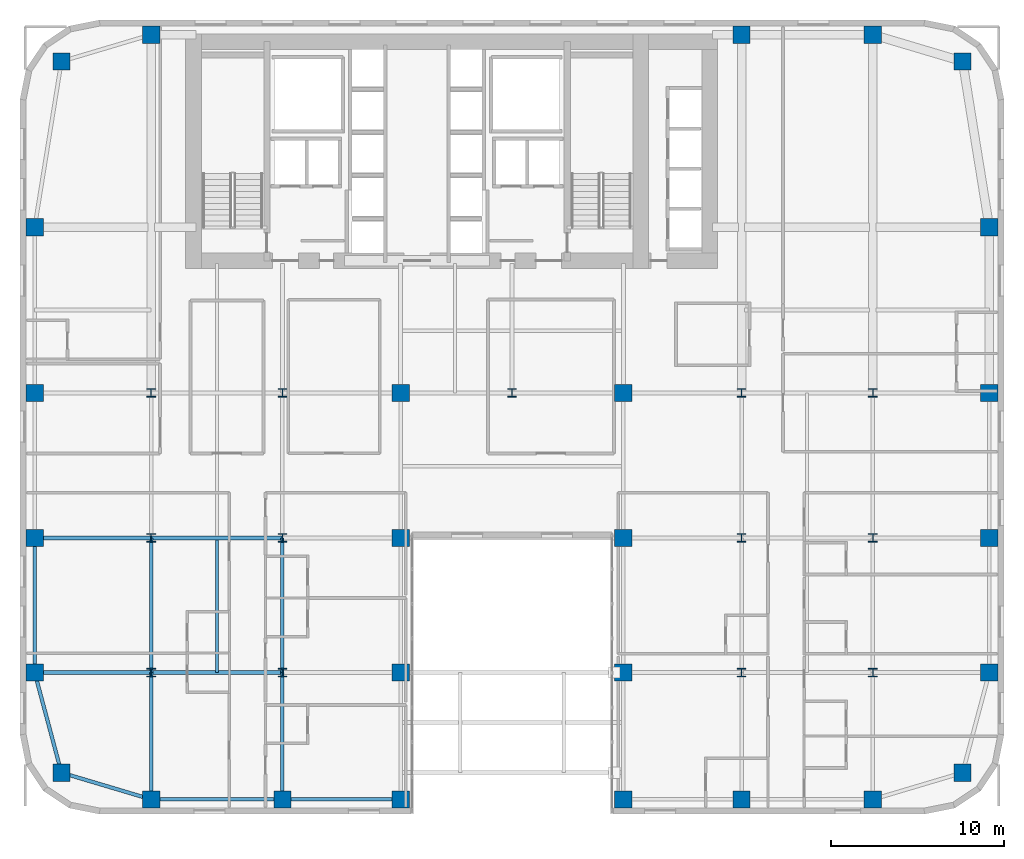
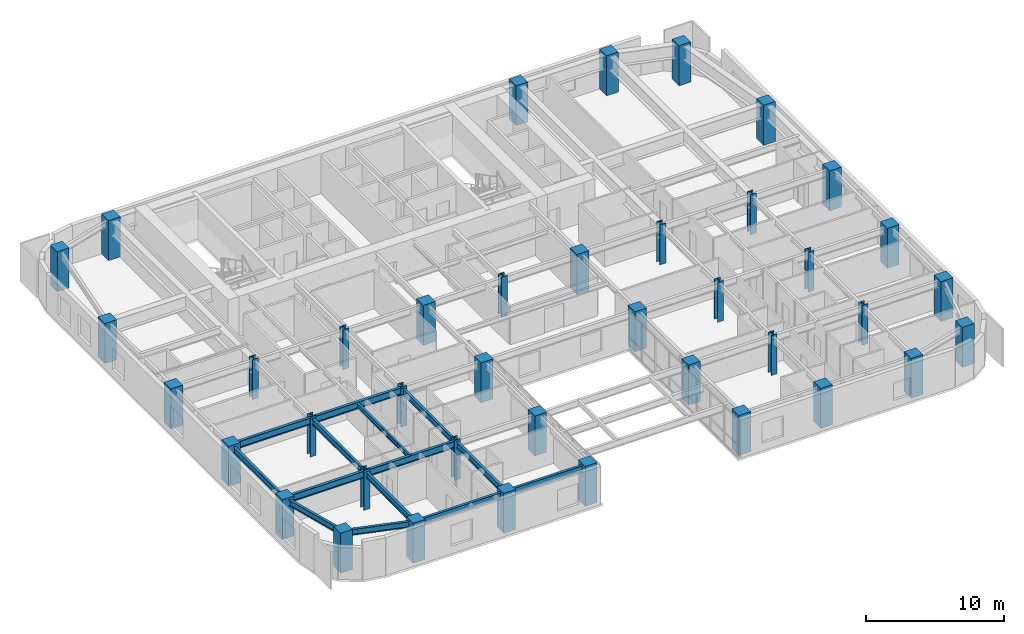
# One storey, part 1 of 16: 40 columns, 14 beams.
"""IFC4 building model written with IfcOpenShell, lengths in metres."""

from ifc_helpers import new_model, si_unit, direction, frame, origin, origin_2d, place, context, subcontext, project, spatial, rectangle, i_section, extrude, source, transform, mapped, material, material_profile, profile_set, type_object, type_shapes, element, save


model = new_model("IFC4")

# Units and contexts
model_context = context("Model", 3, precision=1e-05, world=origin(), true_north=direction((0.0, 1.0)))
body_context = subcontext(model_context, "Body", "Model", "MODEL_VIEW")
ifc_project = project(units=[si_unit("LENGTHUNIT", "METRE"), si_unit("AREAUNIT", "SQUARE_METRE"), si_unit("VOLUMEUNIT", "CUBIC_METRE"), si_unit("PLANEANGLEUNIT", "RADIAN"), si_unit("MASSUNIT", "GRAM", prefix="KILO")], contexts=[model_context])

# Site, building, storey
site_placement = place(None, origin())
site = spatial("IfcSite", under=ifc_project, at=site_placement, CompositionType="ELEMENT")
building_placement = place(site_placement, origin())
building = spatial("IfcBuilding", under=site, at=building_placement, Name="Tolvann Quenvar Hotel", CompositionType="ELEMENT")
storey_placement = place(building_placement, frame((0.0, 0.0, 71.050048828125)))
storey = spatial("IfcBuildingStorey", under=building, at=storey_placement, Name="L17", CompositionType="ELEMENT", Elevation=71.050048828125)

# Columns
ifc_material_1 = material(Name="Concrete S65 (65 MPa)", Category="concrete")
ifc_material_profile_1 = material_profile(ifc_material_1, rectangle(XDim=1.0, YDim=1.0, at=origin_2d()), Name="RC1000x1000")
ifc_profile_set_1 = profile_set([ifc_material_profile_1], Name="Concrete S65 (65 MPa)")
column_type_1 = type_object("IfcColumnType", Name="COL_RC1000", PredefinedType="COLUMN", material=ifc_profile_set_1)
shared_shape_1 = source(origin(), body_context, "Body", "SweptSolid", [
    extrude(rectangle(XDim=1.0, YDim=1.0, at=origin_2d()), origin(), (0.0, 0.0, 1.0), 3.550048828125),
])
type_shapes(column_type_1, [shared_shape_1])
for number, where, z_axis, x_axis, name in (
    (1, (2.39990234375, 2.39990234375, 0.0), (0.0, 0.0, 1.0), (1.0, 0.0, 0.0), "Column B2 (L17)"),
    (2, (0.85009765625, 8.199951171875, 0.0), (0.0, 0.0, 1.0), (1.0, 0.0, 0.0), "Column B3 (L17)"),
    (3, (0.85009765625, 16.0, 0.0), (0.0, 0.0, 1.0), (1.0, 0.0, 0.0), "Column B4 (L17)"),
    (4, (0.85009765625, 24.39990234375, 0.0), (0.0, 0.0, 1.0), (1.0, 0.0, 0.0), "Column B5 (L17)"),
    (5, (7.60009765625, 0.85009765625, 0.0), (0.0, 0.0, 1.0), (1.0, 0.0, 0.0), "Column C2 (L17)"),
    (6, (15.199951171875, 0.85009765625, 0.0), (0.0, 0.0, 1.0), (1.0, 0.0, 0.0), "Column D2 (L17)"),
    (7, (22.050048828125, 0.85009765625, 0.0), (0.0, 0.0, 1.0), (1.0, 0.0, 0.0), "Column E2 (L17)"),
    (8, (22.050048828125, 8.199951171875, 0.0), (0.0, 0.0, 1.0), (1.0, 0.0, 0.0), "Column E3 (L17)"),
    (9, (22.050048828125, 16.0, 0.0), (0.0, 0.0, 1.0), (1.0, 0.0, 0.0), "Column E4 (L17)"),
    (10, (22.050048828125, 24.39990234375, 0.0), (0.0, 0.0, 1.0), (1.0, 0.0, 0.0), "Column E5 (L17)"),
    (11, (34.949951171875, 0.85009765625, 0.0), (0.0, 0.0, 1.0), (1.0, 0.0, 0.0), "Column F2 (L17)"),
    (12, (34.949951171875, 8.199951171875, 0.0), (0.0, 0.0, 1.0), (1.0, 0.0, 0.0), "Column F3 (L17)"),
    (13, (34.949951171875, 16.0, 0.0), (0.0, 0.0, 1.0), (1.0, 0.0, 0.0), "Column F4 (L17)"),
    (14, (34.949951171875, 24.39990234375, 0.0), (0.0, 0.0, 1.0), (1.0, 0.0, 0.0), "Column F5 (L17)"),
    (15, (41.800048828125, 0.85009765625, 0.0), (0.0, 0.0, 1.0), (1.0, 0.0, 0.0), "Column H2 (L17)"),
    (16, (49.39990234375, 0.85009765625, 0.0), (0.0, 0.0, 1.0), (1.0, 0.0, 0.0), "Column I2 (L17)"),
    (17, (54.60009765625, 2.39990234375, 0.0), (0.0, 0.0, 1.0), (1.0, 0.0, 0.0), "Column J2 (L17)"),
    (18, (56.14990234375, 8.199951171875, 0.0), (0.0, 0.0, 1.0), (1.0, 0.0, 0.0), "Column J3 (L17)"),
    (19, (56.14990234375, 16.0, 0.0), (0.0, 0.0, 1.0), (1.0, 0.0, 0.0), "Column J4 (L17)"),
    (20, (56.14990234375, 24.39990234375, 0.0), (0.0, 0.0, 1.0), (1.0, 0.0, 0.0), "Column J5 (L17)"),
    (21, (2.39990234375, 43.60009765625, 0.0), (0.0, 0.0, 1.0), (1.0, 0.0, 0.0), "Column BN (L17)"),
    (22, (7.60009765625, 45.14990234375, 0.0), (0.0, 0.0, 1.0), (1.0, 0.0, 0.0), "Column CN (L17)"),
    (23, (0.85009765625, 34.0, 0.0), (0.0, 0.0, 1.0), (1.0, 0.0, 0.0), "Column BD6 (L17)"),
    (24, (41.800048828125, 45.14990234375, 0.0), (0.0, 0.0, 1.0), (1.0, 0.0, 0.0), "Column HN (L17)"),
    (25, (49.39990234375, 45.14990234375, 0.0), (0.0, 0.0, 1.0), (1.0, 0.0, 0.0), "Column IN (L17)"),
    (26, (54.60009765625, 43.60009765625, 0.0), (0.0, 0.0, 1.0), (1.0, 0.0, 0.0), "Column JN (L17)"),
    (27, (56.14990234375, 34.0, 0.0), (0.0, 0.0, 1.0), (1.0, 0.0, 0.0), "Column JD6 (L17)"),
):
    element("IfcColumn", number, at=place(storey_placement, frame(where, z_axis=z_axis, x_axis=x_axis)), inside=storey, type_object=column_type_1, Name=name, PredefinedType="COLUMN", context=body_context, shape_type="MappedRepresentation", body=[
        mapped(shared_shape_1, transform((0.0, 0.0, 0.0), x_axis=(1.0, 0.0, 0.0), y_axis=(0.0, 1.0, 0.0), z_axis=(0.0, 0.0, 1.0), scale=1.0)),
    ])
ifc_material_2 = material(Name="Steel Grade 350", Category="steel")
ifc_material_profile_2 = material_profile(ifc_material_2, i_section(OverallWidth=0.5, OverallDepth=0.5, WebThickness=0.028076171875, FlangeThickness=0.044921875, at=origin_2d()), Name="500WC440")
ifc_profile_set_2 = profile_set([ifc_material_profile_2], Name="Steel Grade 350")
column_type_2 = type_object("IfcColumnType", Name="COL_500WC440", PredefinedType="COLUMN", material=ifc_profile_set_2)
shared_shape_2 = source(origin(), body_context, "Body", "SweptSolid", [
    extrude(i_section(OverallWidth=0.5, OverallDepth=0.5, WebThickness=0.028076171875, FlangeThickness=0.044921875, at=origin_2d()), origin(), (0.0, 0.0, 1.0), 3.550048828125),
])
type_shapes(column_type_2, [shared_shape_2])
for number, where, z_axis, x_axis, name in (
    (28, (7.60009765625, 8.199951171875, 0.0), (0.0, 0.0, 1.0), (1.0, 0.0, 0.0), "Column C3 (L17)"),
    (29, (7.60009765625, 16.0, 0.0), (0.0, 0.0, 1.0), (1.0, 0.0, 0.0), "Column C4 (L17)"),
    (30, (7.60009765625, 24.39990234375, 0.0), (0.0, 0.0, 1.0), (1.0, 0.0, 0.0), "Column C5 (L17)"),
    (31, (15.199951171875, 8.199951171875, 0.0), (0.0, 0.0, 1.0), (1.0, 0.0, 0.0), "Column D3 (L17)"),
    (32, (15.199951171875, 16.0, 0.0), (0.0, 0.0, 1.0), (1.0, 0.0, 0.0), "Column D4 (L17)"),
    (33, (15.199951171875, 24.39990234375, 0.0), (0.0, 0.0, 1.0), (1.0, 0.0, 0.0), "Column D5 (L17)"),
    (34, (41.800048828125, 8.199951171875, 0.0), (0.0, 0.0, 1.0), (1.0, 0.0, 0.0), "Column H3 (L17)"),
    (35, (41.800048828125, 16.0, 0.0), (0.0, 0.0, 1.0), (1.0, 0.0, 0.0), "Column H4 (L17)"),
    (36, (41.800048828125, 24.39990234375, 0.0), (0.0, 0.0, 1.0), (1.0, 0.0, 0.0), "Column H5 (L17)"),
    (37, (49.39990234375, 8.199951171875, 0.0), (0.0, 0.0, 1.0), (1.0, 0.0, 0.0), "Column I3 (L17)"),
    (38, (49.39990234375, 16.0, 0.0), (0.0, 0.0, 1.0), (1.0, 0.0, 0.0), "Column I4 (L17)"),
    (39, (49.39990234375, 24.39990234375, 0.0), (0.0, 0.0, 1.0), (1.0, 0.0, 0.0), "Column I5 (L17)"),
    (40, (28.5, 24.39990234375, 0.0), (0.0, 0.0, 1.0), (1.0, 0.0, 0.0), "Column M5 (L17)"),
):
    element("IfcColumn", number, at=place(storey_placement, frame(where, z_axis=z_axis, x_axis=x_axis)), inside=storey, type_object=column_type_2, Name=name, PredefinedType="COLUMN", context=body_context, shape_type="MappedRepresentation", body=[
        mapped(shared_shape_2, transform((0.0, 0.0, 0.0), x_axis=(1.0, 0.0, 0.0), y_axis=(0.0, 1.0, 0.0), z_axis=(0.0, 0.0, 1.0), scale=1.0)),
    ])

# Beams
ifc_material_profile_3 = material_profile(ifc_material_2, i_section(OverallWidth=0.208984375, OverallDepth=0.528076171875, WebThickness=0.009521484375, FlangeThickness=0.01318359375, FilletRadius=0.013916015625, at=origin_2d()), Name="530UB82")
ifc_profile_set_3 = profile_set([ifc_material_profile_3], Name="Steel Grade 350")
beam_type_1 = type_object("IfcBeamType", Name="BM_SPAND_530UB82", PredefinedType="SPANDREL", material=ifc_profile_set_3)
shared_shape_3 = source(origin(), body_context, "Body", "SweptSolid", [
    extrude(i_section(OverallWidth=0.208984375, OverallDepth=0.528076171875, WebThickness=0.009521484375, FlangeThickness=0.01318359375, FilletRadius=0.013916015625, at=origin_2d()), origin(), (0.0, 0.0, 1.0), 5.42626953125),
])
beam_1_placement = place(storey_placement, frame((2.39990234375, 2.39990234375, 3.10595703125), z_axis=(0.958344815522, -0.285613750654, 0.0), x_axis=(0.285613750654, 0.958344815522, 0.0)))
element("IfcBeam", 41, at=beam_1_placement, inside=storey, type_object=beam_type_1, Name="BM-L17-EW-2-B2-C2", PredefinedType="SPANDREL", context=body_context, shape_type="MappedRepresentation", body=[
    mapped(shared_shape_3, transform((0.0, 0.0, 0.0), x_axis=(1.0, 0.0, 0.0), y_axis=(0.0, 1.0, 0.0), z_axis=(0.0, 0.0, 1.0), scale=1.0)),
])
shared_shape_4 = source(origin(), body_context, "Body", "SweptSolid", [
    extrude(i_section(OverallWidth=0.208984375, OverallDepth=0.528076171875, WebThickness=0.009521484375, FlangeThickness=0.01318359375, FilletRadius=0.013916015625, at=origin_2d()), origin(), (0.0, 0.0, 1.0), 7.599853515625),
])
beam_2_placement = place(storey_placement, frame((7.60009765625, 0.85009765625, 3.10595703125), z_axis=(1.0, 0.0, 0.0), x_axis=(0.0, 1.0, 0.0)))
element("IfcBeam", 42, at=beam_2_placement, inside=storey, type_object=beam_type_1, Name="BM-L17-EW-2-C2-D2", PredefinedType="SPANDREL", context=body_context, shape_type="MappedRepresentation", body=[
    mapped(shared_shape_4, transform((0.0, 0.0, 0.0), x_axis=(1.0, 0.0, 0.0), y_axis=(0.0, 1.0, 0.0), z_axis=(0.0, 0.0, 1.0), scale=1.0)),
])
shared_shape_5 = source(origin(), body_context, "Body", "SweptSolid", [
    extrude(i_section(OverallWidth=0.208984375, OverallDepth=0.528076171875, WebThickness=0.009521484375, FlangeThickness=0.01318359375, FilletRadius=0.013916015625, at=origin_2d()), origin(), (0.0, 0.0, 1.0), 6.85009765625),
])
beam_3_placement = place(storey_placement, frame((15.199951171875, 0.85009765625, 3.10595703125), z_axis=(1.0, 0.0, 0.0), x_axis=(0.0, 1.0, 0.0)))
element("IfcBeam", 43, at=beam_3_placement, inside=storey, type_object=beam_type_1, Name="BM-L17-EW-2-D2-E2", PredefinedType="SPANDREL", context=body_context, shape_type="MappedRepresentation", body=[
    mapped(shared_shape_5, transform((0.0, 0.0, 0.0), x_axis=(1.0, 0.0, 0.0), y_axis=(0.0, 1.0, 0.0), z_axis=(0.0, 0.0, 1.0), scale=1.0)),
])
ifc_material_profile_4 = material_profile(ifc_material_2, i_section(OverallWidth=0.22900390625, OverallDepth=0.612060546875, WebThickness=0.011962890625, FlangeThickness=0.01953125, FilletRadius=0.013916015625, at=origin_2d()), Name="610UB125")
ifc_profile_set_4 = profile_set([ifc_material_profile_4], Name="Steel Grade 350")
beam_type_2 = type_object("IfcBeamType", Name="BM_GIRD_610UB125", PredefinedType="BEAM", material=ifc_profile_set_4)
shared_shape_6 = source(origin(), body_context, "Body", "SweptSolid", [
    extrude(i_section(OverallWidth=0.22900390625, OverallDepth=0.612060546875, WebThickness=0.011962890625, FlangeThickness=0.01953125, FilletRadius=0.013916015625, at=origin_2d()), origin(), (0.0, 0.0, 1.0), 6.75),
])
for number, where, z_axis, x_axis, name in (
    (44, (0.85009765625, 8.199951171875, 3.06396484375), (1.0, 0.0, 0.0), (0.0, 1.0, 0.0), "BM-L17-EW-3-B3-C3"),
    (45, (0.85009765625, 16.0, 3.06396484375), (1.0, 0.0, 0.0), (0.0, 1.0, 0.0), "BM-L17-EW-4-B4-C4"),
):
    element("IfcBeam", number, at=place(storey_placement, frame(where, z_axis=z_axis, x_axis=x_axis)), inside=storey, type_object=beam_type_2, Name=name, PredefinedType="BEAM", context=body_context, shape_type="MappedRepresentation", body=[
        mapped(shared_shape_6, transform((0.0, 0.0, 0.0), x_axis=(1.0, 0.0, 0.0), y_axis=(0.0, 1.0, 0.0), z_axis=(0.0, 0.0, 1.0), scale=1.0)),
    ])
shared_shape_7 = source(origin(), body_context, "Body", "SweptSolid", [
    extrude(i_section(OverallWidth=0.22900390625, OverallDepth=0.612060546875, WebThickness=0.011962890625, FlangeThickness=0.01953125, FilletRadius=0.013916015625, at=origin_2d()), origin(), (0.0, 0.0, 1.0), 7.599853515625),
])
type_shapes(beam_type_2, [shared_shape_6, shared_shape_7])
for number, where, z_axis, x_axis, name in (
    (46, (7.60009765625, 8.199951171875, 3.06396484375), (1.0, 0.0, 0.0), (0.0, 1.0, 0.0), "BM-L17-EW-3-C3-D3"),
    (47, (7.60009765625, 16.0, 3.06396484375), (1.0, 0.0, 0.0), (0.0, 1.0, 0.0), "BM-L17-EW-4-C4-D4"),
):
    element("IfcBeam", number, at=place(storey_placement, frame(where, z_axis=z_axis, x_axis=x_axis)), inside=storey, type_object=beam_type_2, Name=name, PredefinedType="BEAM", context=body_context, shape_type="MappedRepresentation", body=[
        mapped(shared_shape_7, transform((0.0, 0.0, 0.0), x_axis=(1.0, 0.0, 0.0), y_axis=(0.0, 1.0, 0.0), z_axis=(0.0, 0.0, 1.0), scale=1.0)),
    ])
shared_shape_8 = source(origin(), body_context, "Body", "SweptSolid", [
    extrude(i_section(OverallWidth=0.208984375, OverallDepth=0.528076171875, WebThickness=0.009521484375, FlangeThickness=0.01318359375, FilletRadius=0.013916015625, at=origin_2d()), origin(), (0.0, 0.0, 1.0), 6.00341796875),
])
beam_4_placement = place(storey_placement, frame((2.39990234375, 2.39990234375, 3.10595703125), z_axis=(-0.258148586649, 0.966105225745, 0.0), x_axis=(-0.966105225745, -0.258148586649, 0.0)))
element("IfcBeam", 48, at=beam_4_placement, inside=storey, type_object=beam_type_1, Name="BM-L17-NS-B2-B3", PredefinedType="SPANDREL", context=body_context, shape_type="MappedRepresentation", body=[
    mapped(shared_shape_8, transform((0.0, 0.0, 0.0), x_axis=(1.0, 0.0, 0.0), y_axis=(0.0, 1.0, 0.0), z_axis=(0.0, 0.0, 1.0), scale=1.0)),
])
shared_shape_9 = source(origin(), body_context, "Body", "SweptSolid", [
    extrude(i_section(OverallWidth=0.208984375, OverallDepth=0.528076171875, WebThickness=0.009521484375, FlangeThickness=0.01318359375, FilletRadius=0.013916015625, at=origin_2d()), origin(), (0.0, 0.0, 1.0), 7.800048828125),
])
type_shapes(beam_type_1, [shared_shape_3, shared_shape_4, shared_shape_5, shared_shape_8, shared_shape_9])
beam_5_placement = place(storey_placement, frame((0.85009765625, 8.199951171875, 3.10595703125), z_axis=(0.0, 1.0, 0.0), x_axis=(-1.0, 0.0, 0.0)))
element("IfcBeam", 49, at=beam_5_placement, inside=storey, type_object=beam_type_1, Name="BM-L17-NS-B3-B4", PredefinedType="SPANDREL", context=body_context, shape_type="MappedRepresentation", body=[
    mapped(shared_shape_9, transform((0.0, 0.0, 0.0), x_axis=(1.0, 0.0, 0.0), y_axis=(0.0, 1.0, 0.0), z_axis=(0.0, 0.0, 1.0), scale=1.0)),
])
ifc_material_profile_5 = material_profile(ifc_material_2, i_section(OverallWidth=0.208984375, OverallDepth=0.532958984375, WebThickness=0.01025390625, FlangeThickness=0.015625, FilletRadius=0.013916015625, at=origin_2d()), Name="530UB92")
ifc_profile_set_5 = profile_set([ifc_material_profile_5], Name="Steel Grade 350")
beam_type_3 = type_object("IfcBeamType", Name="BM_GIRD_530UB92", PredefinedType="BEAM", material=ifc_profile_set_5)
shared_shape_10 = source(origin(), body_context, "Body", "SweptSolid", [
    extrude(i_section(OverallWidth=0.208984375, OverallDepth=0.532958984375, WebThickness=0.01025390625, FlangeThickness=0.015625, FilletRadius=0.013916015625, at=origin_2d()), origin(), (0.0, 0.0, 1.0), 7.349853515625),
])
for number, where, z_axis, x_axis, name in (
    (50, (7.60009765625, 0.85009765625, 3.103515625), (0.0, 1.0, 0.0), (-1.0, 0.0, 0.0), "BM-L17-NS-C2-C3"),
    (51, (15.199951171875, 0.85009765625, 3.103515625), (0.0, 1.0, 0.0), (-1.0, 0.0, 0.0), "BM-L17-NS-D2-D3"),
):
    element("IfcBeam", number, at=place(storey_placement, frame(where, z_axis=z_axis, x_axis=x_axis)), inside=storey, type_object=beam_type_3, Name=name, PredefinedType="BEAM", context=body_context, shape_type="MappedRepresentation", body=[
        mapped(shared_shape_10, transform((0.0, 0.0, 0.0), x_axis=(1.0, 0.0, 0.0), y_axis=(0.0, 1.0, 0.0), z_axis=(0.0, 0.0, 1.0), scale=1.0)),
    ])
shared_shape_11 = source(origin(), body_context, "Body", "SweptSolid", [
    extrude(i_section(OverallWidth=0.208984375, OverallDepth=0.532958984375, WebThickness=0.01025390625, FlangeThickness=0.015625, FilletRadius=0.013916015625, at=origin_2d()), origin(), (0.0, 0.0, 1.0), 7.800048828125),
])
type_shapes(beam_type_3, [shared_shape_10, shared_shape_11])
for number, where, z_axis, x_axis, name in (
    (52, (7.60009765625, 8.199951171875, 3.103515625), (0.0, 1.0, 0.0), (-1.0, 0.0, 0.0), "BM-L17-NS-C3-C4"),
    (53, (15.199951171875, 8.199951171875, 3.103515625), (0.0, 1.0, 0.0), (-1.0, 0.0, 0.0), "BM-L17-NS-D3-D4"),
):
    element("IfcBeam", number, at=place(storey_placement, frame(where, z_axis=z_axis, x_axis=x_axis)), inside=storey, type_object=beam_type_3, Name=name, PredefinedType="BEAM", context=body_context, shape_type="MappedRepresentation", body=[
        mapped(shared_shape_11, transform((0.0, 0.0, 0.0), x_axis=(1.0, 0.0, 0.0), y_axis=(0.0, 1.0, 0.0), z_axis=(0.0, 0.0, 1.0), scale=1.0)),
    ])
ifc_material_profile_6 = material_profile(ifc_material_2, i_section(OverallWidth=0.177978515625, OverallDepth=0.406005859375, WebThickness=0.0078125, FlangeThickness=0.0126953125, FilletRadius=0.011474609375, at=origin_2d()), Name="410UB60")
ifc_profile_set_6 = profile_set([ifc_material_profile_6], Name="Steel Grade 350")
beam_type_4 = type_object("IfcBeamType", Name="BM_JOIST_410UB60", PredefinedType="JOIST", material=ifc_profile_set_6)
shared_shape_12 = source(origin(), body_context, "Body", "SweptSolid", [
    extrude(i_section(OverallWidth=0.177978515625, OverallDepth=0.406005859375, WebThickness=0.0078125, FlangeThickness=0.0126953125, FilletRadius=0.011474609375, at=origin_2d()), origin(), (0.0, 0.0, 1.0), 7.691650390625),
])
type_shapes(beam_type_4, [shared_shape_12])
beam_6_placement = place(storey_placement, frame((11.39990234375, 8.199951171875, 3.1669921875), z_axis=(0.0, 1.0, 0.0), x_axis=(-1.0, 0.0, 0.0)))
element("IfcBeam", 54, at=beam_6_placement, inside=storey, type_object=beam_type_4, Name="BJ-L17-114-82", PredefinedType="JOIST", context=body_context, shape_type="MappedRepresentation", body=[
    mapped(shared_shape_12, transform((0.0, 0.0, 0.0), x_axis=(1.0, 0.0, 0.0), y_axis=(0.0, 1.0, 0.0), z_axis=(0.0, 0.0, 1.0), scale=1.0)),
])

save(model, "model.ifc")
